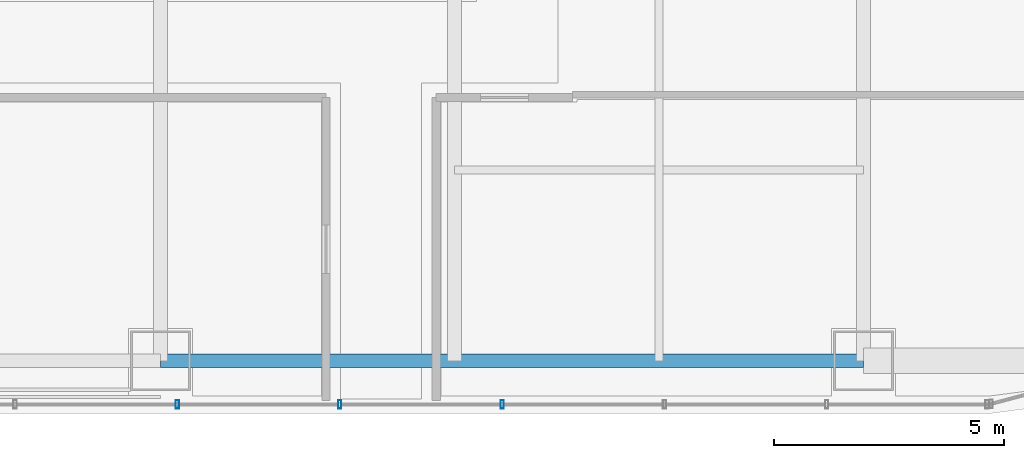
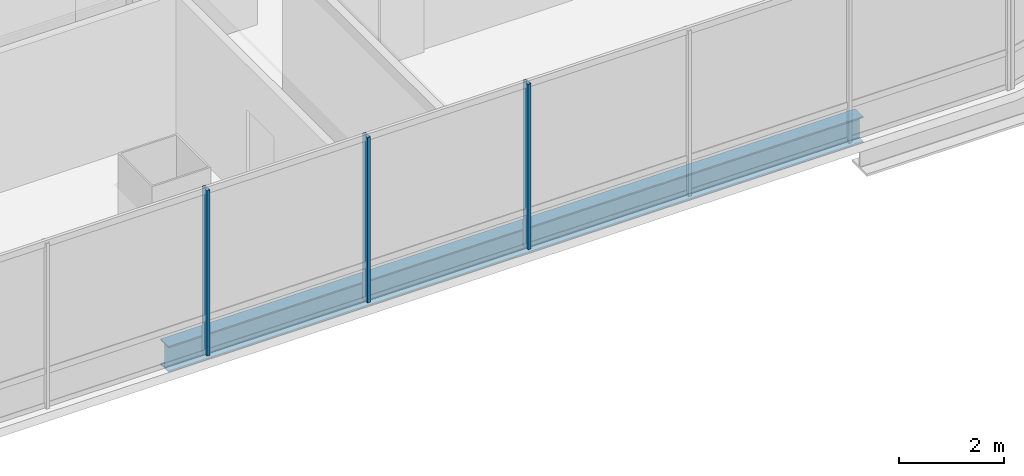
# One storey, part 8 of 42: 3 members, 1 beam, 1 element without a shape of its own.
"""IFC4 building model written with IfcOpenShell, lengths in metres."""

from ifc_helpers import new_model, si_unit, direction, frame, origin, origin_2d, place, context, subcontext, project, spatial, hollow_rectangle, i_section, extrude, material, material_profile, profile_set, type_object, element, aggregate, save


model = new_model("IFC4")

# Units and contexts
model_context = context("Model", 3, precision=1e-05, world=origin(), true_north=direction((0.0, 1.0)))
body_context = subcontext(model_context, "Body", "Model", "MODEL_VIEW")
ifc_project = project(units=[si_unit("LENGTHUNIT", "METRE"), si_unit("AREAUNIT", "SQUARE_METRE"), si_unit("VOLUMEUNIT", "CUBIC_METRE"), si_unit("PLANEANGLEUNIT", "RADIAN"), si_unit("MASSUNIT", "GRAM", prefix="KILO")], contexts=[model_context])

# Site, building, storey
site_placement = place(None, origin())
site = spatial("IfcSite", under=ifc_project, at=site_placement, CompositionType="ELEMENT")
building_placement = place(site_placement, origin())
building = spatial("IfcBuilding", under=site, at=building_placement, Name="Punatoya Terracotta Tower", CompositionType="ELEMENT")
storey_placement = place(building_placement, frame((0.0, 0.0, 255.449951171875)))
storey = spatial("IfcBuildingStorey", under=building, at=storey_placement, Name="L60", CompositionType="ELEMENT", Elevation=255.449951171875)

# Beam
ifc_material_1 = material(Name="Steel S355", Category="steel")
ifc_material_profile_1 = material_profile(ifc_material_1, i_section(OverallWidth=0.300048828125, OverallDepth=0.60009765625, WebThickness=0.015380859375, FlangeThickness=0.030029296875, FilletRadius=0.01806640625, at=origin_2d()))
ifc_profile_set_1 = profile_set([ifc_material_profile_1], Name="Steel S355")
beam_type = type_object("IfcBeamType", Name="BM-PRI-600", PredefinedType="BEAM", material=ifc_profile_set_1)
beam_placement = place(storey_placement, frame((3.800048828125, -17.5, -0.5), z_axis=(1.0, 0.0, 0.0), x_axis=(0.0, 1.0, 0.0)))
element("IfcBeam", 1, at=beam_placement, inside=storey, type_object=beam_type, Name="BM-L60-RG-S3", PredefinedType="BEAM", context=body_context, shape_type="SweptSolid", body=[
    extrude(i_section(OverallWidth=0.300048828125, OverallDepth=0.60009765625, WebThickness=0.015380859375, FlangeThickness=0.030029296875, FilletRadius=0.01806640625, at=origin_2d()), origin(), (0.0, 0.0, 1.0), 15.300048828125),
])

# Curtain wall, members
ifc_material_2 = material(Name="Aluminium 6063-T6 + Double Low-E Glass", Category="aluminium")
curtain_wall_type = type_object("IfcCurtainWallType", Name="CW-M3", PredefinedType="NOTDEFINED", material=ifc_material_2)
curtain_wall_placement = place(storey_placement, origin())
curtain_wall = element("IfcCurtainWall", 2, at=curtain_wall_placement, inside=storey, type_object=curtain_wall_type, Name="L60 Curtain Wall CW-L60-S01-1", PredefinedType="NOTDEFINED")
ifc_material_3 = material(Name="Aluminium 6063-T6", Category="aluminium")
ifc_material_profile_2 = material_profile(ifc_material_3, hollow_rectangle(XDim=0.070068359375, YDim=0.179931640625, WallThickness=0.00390625, at=origin_2d()))
ifc_profile_set_2 = profile_set([ifc_material_profile_2], Name="Aluminium 6063-T6")
member_type = type_object("IfcMemberType", Name="CW-MUL-M3", PredefinedType="MULLION", material=ifc_profile_set_2)
member_1_placement = place(storey_placement, frame((4.1669921875, -18.449951171875, 0.0), z_axis=(0.0, 0.0, 1.0), x_axis=(1.0, 0.0, 0.0)))
member_1 = element("IfcMember", 3, at=member_1_placement, type_object=member_type, Name="CW-L60-S01-1 Mullion 06", PredefinedType="MULLION", context=body_context, shape_type="SweptSolid", body=[
    extrude(hollow_rectangle(XDim=0.070068359375, YDim=0.179931640625, WallThickness=0.00390625, at=origin_2d()), origin(), (0.0, 0.0, 1.0), 3.85009765625),
])
member_2_placement = place(storey_placement, frame((7.700927734375, -18.449951171875, 0.0), z_axis=(0.0, 0.0, 1.0), x_axis=(1.0, 0.0, 0.0)))
member_2 = element("IfcMember", 4, at=member_2_placement, type_object=member_type, Name="CW-L60-S01-1 Mullion 07", PredefinedType="MULLION", context=body_context, shape_type="SweptSolid", body=[
    extrude(hollow_rectangle(XDim=0.070068359375, YDim=0.179931640625, WallThickness=0.00390625, at=origin_2d()), origin(), (0.0, 0.0, 1.0), 3.85009765625),
])
member_3_placement = place(storey_placement, frame((11.235107421875, -18.449951171875, 0.0), z_axis=(0.0, 0.0, 1.0), x_axis=(1.0, 0.0, 0.0)))
member_3 = element("IfcMember", 5, at=member_3_placement, type_object=member_type, Name="CW-L60-S01-1 Mullion 08", PredefinedType="MULLION", context=body_context, shape_type="SweptSolid", body=[
    extrude(hollow_rectangle(XDim=0.070068359375, YDim=0.179931640625, WallThickness=0.00390625, at=origin_2d()), origin(), (0.0, 0.0, 1.0), 3.85009765625),
])
aggregate(curtain_wall, [member_1, member_2, member_3])

save(model, "model.ifc")
